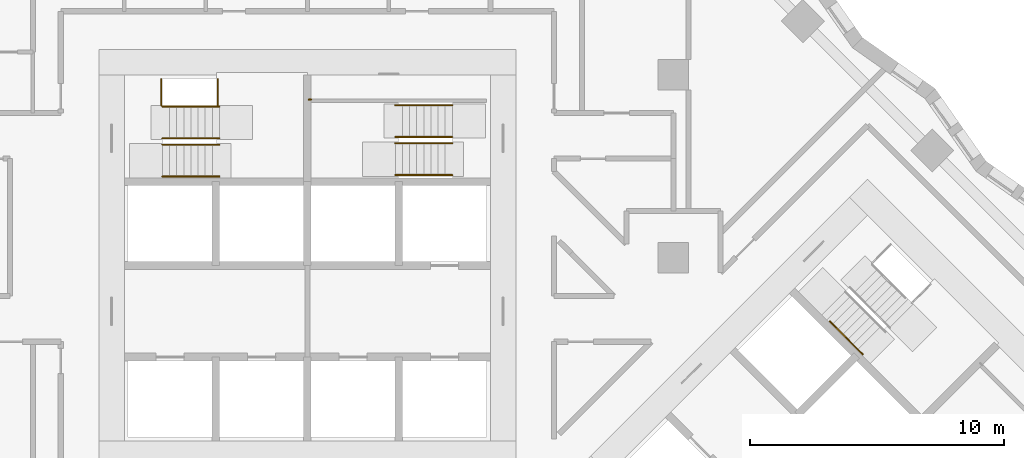
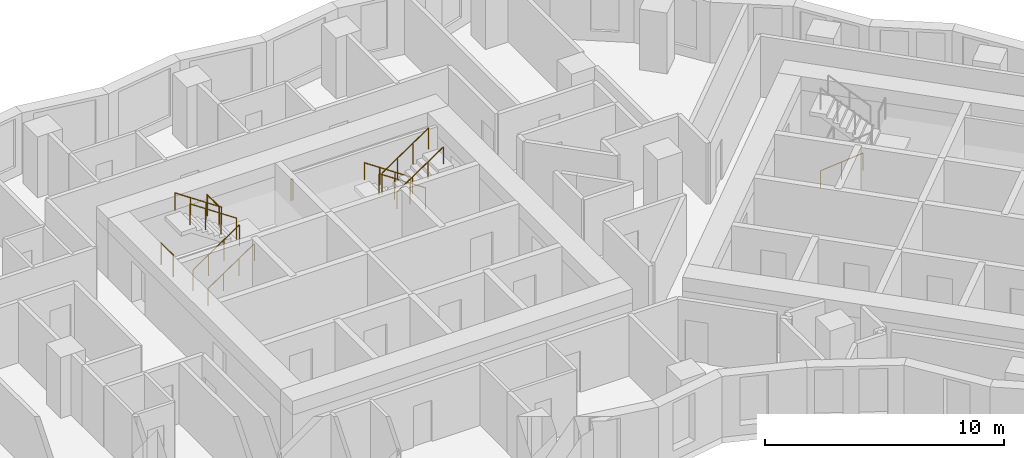
# One storey, part 11 of 12: 12 railings.
"""IFC4 building model written with IfcOpenShell, lengths in metres."""

from ifc_helpers import new_model, si_unit, direction, frame, origin, origin_2d, place, context, subcontext, project, spatial, circle, extrude, material, type_object, element, save


model = new_model("IFC4")

# Units and contexts
model_context = context("Model", 3, precision=1e-05, world=origin(), true_north=direction((0.0, 1.0)))
body_context = subcontext(model_context, "Body", "Model", "MODEL_VIEW")
ifc_project = project(units=[si_unit("LENGTHUNIT", "METRE"), si_unit("AREAUNIT", "SQUARE_METRE"), si_unit("VOLUMEUNIT", "CUBIC_METRE"), si_unit("PLANEANGLEUNIT", "RADIAN"), si_unit("MASSUNIT", "GRAM", prefix="KILO")], contexts=[model_context])

# Site, building, storey
site_placement = place(None, origin())
site = spatial("IfcSite", under=ifc_project, at=site_placement, CompositionType="ELEMENT")
building_placement = place(site_placement, origin())
building = spatial("IfcBuilding", under=site, at=building_placement, Name="Windrow Commons", CompositionType="ELEMENT")
storey_placement = place(building_placement, frame((0.0, 0.0, 61.0)))
storey = spatial("IfcBuildingStorey", under=building, at=storey_placement, Name="L16", CompositionType="ELEMENT", Elevation=61.0)

# Railings
ifc_material_1 = material(Name="Steel S355", Category="steel")
railing_type_1 = type_object("IfcRailingType", Name="Core stair guard 1100", PredefinedType="GUARDRAIL", material=ifc_material_1)
railing_1_placement = place(storey_placement, frame((59.1, 62.05, 0.1889)))
element("IfcRailing", 1, at=railing_1_placement, inside=storey, type_object=railing_type_1, Name="L16 ST-A1 stair guard 1", PredefinedType="GUARDRAIL", context=body_context, shape_type="SweptSolid", body=[
    extrude(circle(Radius=0.024, at=origin_2d()), frame((0.0, 0.0, 1.076), z_axis=(0.8290030985, 0.0, 0.5592440099), x_axis=(0.0, 1.0, 0.0)), (0.0, 0.0, 1.0), 2.702),
    extrude(circle(Radius=0.021, at=origin_2d()), origin(), (0.0, 0.0, 1.0), 1.052),
    extrude(circle(Radius=0.021, at=origin_2d()), frame((0.7467, 0.0, 0.5037)), (0.0, 0.0, 1.0), 1.052),
    extrude(circle(Radius=0.021, at=origin_2d()), frame((1.4933, 0.0, 1.0074)), (0.0, 0.0, 1.0), 1.052),
    extrude(circle(Radius=0.021, at=origin_2d()), frame((2.24, 0.0, 1.5111)), (0.0, 0.0, 1.0), 1.052),
])
railing_2_placement = place(storey_placement, frame((61.34, 62.3, 1.8889)))
element("IfcRailing", 2, at=railing_2_placement, inside=storey, type_object=railing_type_1, Name="L16 ST-A1 stair guard 2", PredefinedType="GUARDRAIL", context=body_context, shape_type="SweptSolid", body=[
    extrude(circle(Radius=0.024, at=origin_2d()), frame((0.0, 0.0, 1.076), z_axis=(-0.8290030985, 0.0, 0.5592440099), x_axis=(0.0, -1.0, 0.0)), (0.0, 0.0, 1.0), 2.702),
    extrude(circle(Radius=0.021, at=origin_2d()), origin(), (0.0, 0.0, 1.0), 1.052),
    extrude(circle(Radius=0.021, at=origin_2d()), frame((-0.7467, 0.0, 0.5037)), (0.0, 0.0, 1.0), 1.052),
    extrude(circle(Radius=0.021, at=origin_2d()), frame((-1.4933, 0.0, 1.0074)), (0.0, 0.0, 1.0), 1.052),
    extrude(circle(Radius=0.021, at=origin_2d()), frame((-2.24, 0.0, 1.5111)), (0.0, 0.0, 1.0), 1.052),
])
for number, where, name in (
    (3, (59.05, 63.6, 0.0), "L16 ST-A1 stair guard 3"),
    (4, (61.27, 63.6, 1.7), "L16 ST-A1 stair guard 4"),
):
    element("IfcRailing", number, at=place(storey_placement, frame(where)), inside=storey, type_object=railing_type_1, Name=name, PredefinedType="GUARDRAIL", context=body_context, shape_type="SweptSolid", body=[
        extrude(circle(Radius=0.024, at=origin_2d()), frame((0.0, 0.0, 1.076), z_axis=(0.0, 1.0, 0.0), x_axis=(-1.0, 0.0, 0.0)), (0.0, 0.0, 1.0), 1.03),
        extrude(circle(Radius=0.021, at=origin_2d()), origin(), (0.0, 0.0, 1.0), 1.052),
        extrude(circle(Radius=0.021, at=origin_2d()), frame((0.0, 1.03, 0.0)), (0.0, 0.0, 1.0), 1.052),
    ])
railing_3_placement = place(storey_placement, frame((70.5, 62.355, 0.1889)))
element("IfcRailing", 5, at=railing_3_placement, inside=storey, type_object=railing_type_1, Name="L16 ST-A2 stair guard 1", PredefinedType="GUARDRAIL", context=body_context, shape_type="SweptSolid", body=[
    extrude(circle(Radius=0.024, at=origin_2d()), frame((0.0, 0.0, 1.076), z_axis=(-0.8290030985, 0.0, 0.5592440099), x_axis=(0.0, -1.0, 0.0)), (0.0, 0.0, 1.0), 2.702),
    extrude(circle(Radius=0.021, at=origin_2d()), origin(), (0.0, 0.0, 1.0), 1.052),
    extrude(circle(Radius=0.021, at=origin_2d()), frame((-0.7467, 0.0, 0.5037)), (0.0, 0.0, 1.0), 1.052),
    extrude(circle(Radius=0.021, at=origin_2d()), frame((-1.4933, 0.0, 1.0074)), (0.0, 0.0, 1.0), 1.052),
    extrude(circle(Radius=0.021, at=origin_2d()), frame((-2.24, 0.0, 1.5111)), (0.0, 0.0, 1.0), 1.052),
])
railing_4_placement = place(storey_placement, frame((68.26, 62.105, 1.8889)))
element("IfcRailing", 6, at=railing_4_placement, inside=storey, type_object=railing_type_1, Name="L16 ST-A2 stair guard 2", PredefinedType="GUARDRAIL", context=body_context, shape_type="SweptSolid", body=[
    extrude(circle(Radius=0.024, at=origin_2d()), frame((0.0, 0.0, 1.076), z_axis=(0.8290030985, 0.0, 0.5592440099), x_axis=(0.0, 1.0, 0.0)), (0.0, 0.0, 1.0), 2.702),
    extrude(circle(Radius=0.021, at=origin_2d()), origin(), (0.0, 0.0, 1.0), 1.052),
    extrude(circle(Radius=0.021, at=origin_2d()), frame((0.7467, 0.0, 0.5037)), (0.0, 0.0, 1.0), 1.052),
    extrude(circle(Radius=0.021, at=origin_2d()), frame((1.4933, 0.0, 1.0074)), (0.0, 0.0, 1.0), 1.052),
    extrude(circle(Radius=0.021, at=origin_2d()), frame((2.24, 0.0, 1.5111)), (0.0, 0.0, 1.0), 1.052),
])
railing_5_placement = place(storey_placement, frame((64.95, 63.825, 1.7)))
element("IfcRailing", 7, at=railing_5_placement, inside=storey, type_object=railing_type_1, Name="L16 ST-A2 stair guard 3", PredefinedType="GUARDRAIL", context=body_context, shape_type="SweptSolid", body=[
    extrude(circle(Radius=0.024, at=origin_2d()), frame((0.0, 0.0, 1.076), z_axis=(-1.0, 0.0, 0.0), x_axis=(0.0, -1.0, 0.0)), (0.0, 0.0, 1.0), 0.1),
    extrude(circle(Radius=0.021, at=origin_2d()), origin(), (0.0, 0.0, 1.0), 1.052),
    extrude(circle(Radius=0.021, at=origin_2d()), frame((-0.1, 0.0, 0.0)), (0.0, 0.0, 1.0), 1.052),
])
ifc_material_2 = material(Name="Steel S355", Category="steel")
railing_type_2 = type_object("IfcRailingType", Name="Core stair handrail 900", PredefinedType="HANDRAIL", material=ifc_material_2)
railing_6_placement = place(storey_placement, frame((59.1, 60.8, 0.1889)))
element("IfcRailing", 8, at=railing_6_placement, inside=storey, type_object=railing_type_2, Name="L16 ST-A1 stair handrail 1", PredefinedType="HANDRAIL", context=body_context, shape_type="SweptSolid", body=[
    extrude(circle(Radius=0.024, at=origin_2d()), frame((0.0, 0.0, 0.876), z_axis=(0.8290030985, 0.0, 0.5592440099), x_axis=(0.0, 1.0, 0.0)), (0.0, 0.0, 1.0), 2.702),
    extrude(circle(Radius=0.021, at=origin_2d()), origin(), (0.0, 0.0, 1.0), 0.852),
    extrude(circle(Radius=0.021, at=origin_2d()), frame((0.7467, 0.0, 0.5037)), (0.0, 0.0, 1.0), 0.852),
    extrude(circle(Radius=0.021, at=origin_2d()), frame((1.4933, 0.0, 1.0074)), (0.0, 0.0, 1.0), 0.852),
    extrude(circle(Radius=0.021, at=origin_2d()), frame((2.24, 0.0, 1.5111)), (0.0, 0.0, 1.0), 0.852),
])
for number, where, name in (
    (9, (61.34, 63.55, 1.8889), "L16 ST-A1 stair handrail 2"),
    (10, (70.5, 63.605, 0.1889), "L16 ST-A2 stair handrail 1"),
):
    element("IfcRailing", number, at=place(storey_placement, frame(where)), inside=storey, type_object=railing_type_2, Name=name, PredefinedType="HANDRAIL", context=body_context, shape_type="SweptSolid", body=[
        extrude(circle(Radius=0.024, at=origin_2d()), frame((0.0, 0.0, 0.876), z_axis=(-0.8290030985, 0.0, 0.5592440099), x_axis=(0.0, -1.0, 0.0)), (0.0, 0.0, 1.0), 2.702),
        extrude(circle(Radius=0.021, at=origin_2d()), origin(), (0.0, 0.0, 1.0), 0.852),
        extrude(circle(Radius=0.021, at=origin_2d()), frame((-0.7467, 0.0, 0.5037)), (0.0, 0.0, 1.0), 0.852),
        extrude(circle(Radius=0.021, at=origin_2d()), frame((-1.4933, 0.0, 1.0074)), (0.0, 0.0, 1.0), 0.852),
        extrude(circle(Radius=0.021, at=origin_2d()), frame((-2.24, 0.0, 1.5111)), (0.0, 0.0, 1.0), 0.852),
    ])
railing_7_placement = place(storey_placement, frame((68.26, 60.855, 1.8889)))
element("IfcRailing", 11, at=railing_7_placement, inside=storey, type_object=railing_type_2, Name="L16 ST-A2 stair handrail 2", PredefinedType="HANDRAIL", context=body_context, shape_type="SweptSolid", body=[
    extrude(circle(Radius=0.024, at=origin_2d()), frame((0.0, 0.0, 0.876), z_axis=(0.8290030985, 0.0, 0.5592440099), x_axis=(0.0, 1.0, 0.0)), (0.0, 0.0, 1.0), 2.702),
    extrude(circle(Radius=0.021, at=origin_2d()), origin(), (0.0, 0.0, 1.0), 0.852),
    extrude(circle(Radius=0.021, at=origin_2d()), frame((0.7467, 0.0, 0.5037)), (0.0, 0.0, 1.0), 0.852),
    extrude(circle(Radius=0.021, at=origin_2d()), frame((1.4933, 0.0, 1.0074)), (0.0, 0.0, 1.0), 0.852),
    extrude(circle(Radius=0.021, at=origin_2d()), frame((2.24, 0.0, 1.5111)), (0.0, 0.0, 1.0), 0.852),
])
railing_8_placement = place(storey_placement, frame((85.3518, 55.1001, 0.4587)))
element("IfcRailing", 12, at=railing_8_placement, inside=storey, type_object=railing_type_2, Name="L16 ST-B1 stair handrail 1", PredefinedType="HANDRAIL", context=body_context, shape_type="SweptSolid", body=[
    extrude(circle(Radius=0.024, at=origin_2d()), frame((0.0, 0.0, 0.876), z_axis=(0.586206706, -0.5861616513, 0.5592639952), x_axis=(0.7070796062, 0.7071339551, 0.0)), (0.0, 0.0, 1.0), 2.2195),
    extrude(circle(Radius=0.021, at=origin_2d()), origin(), (0.0, 0.0, 1.0), 0.852),
    extrude(circle(Radius=0.021, at=origin_2d()), frame((0.6506, -0.6505, 0.6207)), (0.0, 0.0, 1.0), 0.852),
    extrude(circle(Radius=0.021, at=origin_2d()), frame((1.3011, -1.301, 1.2413)), (0.0, 0.0, 1.0), 0.852),
])

save(model, "model.ifc")
